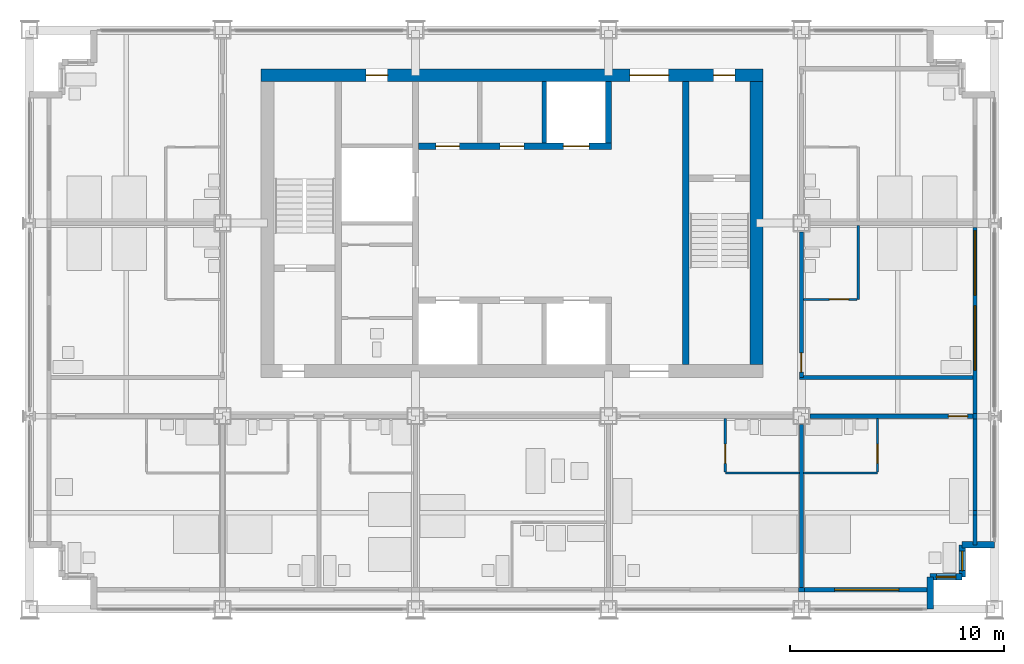
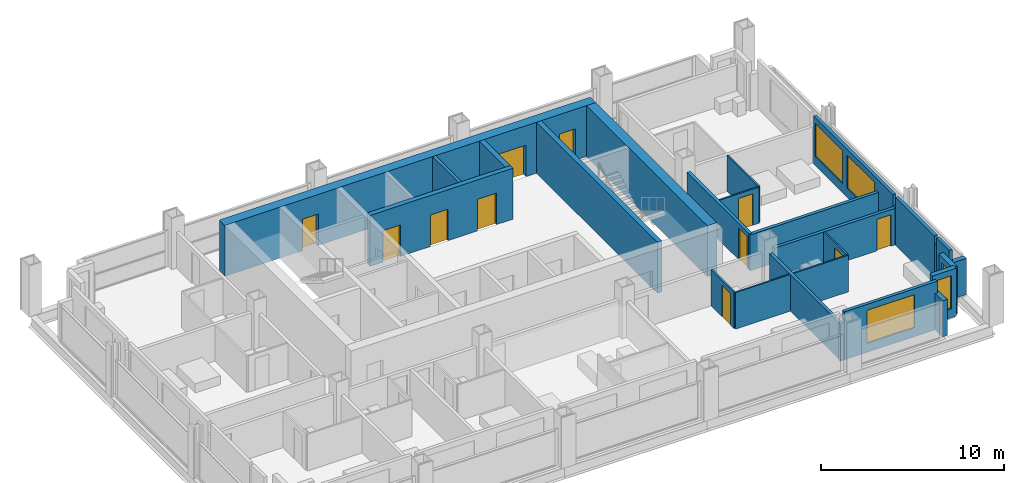
# One storey, part 9 of 13: 27 walls, 11 doors, 5 windows, 16 openings.
"""IFC4 building model written with IfcOpenShell, lengths in metres."""

from ifc_helpers import new_model, si_unit, direction, frame, frame_2d, origin, place, context, subcontext, project, spatial, rectangle, extrude, material, layer, layer_set, type_object, element, fill, save


model = new_model("IFC4")

# Units and contexts
model_context = context("Model", 3, precision=1e-05, world=origin(), true_north=direction((0.0, 1.0)))
body_context = subcontext(model_context, "Body", "Model", "MODEL_VIEW")
ifc_project = project(units=[si_unit("LENGTHUNIT", "METRE"), si_unit("AREAUNIT", "SQUARE_METRE"), si_unit("VOLUMEUNIT", "CUBIC_METRE"), si_unit("PLANEANGLEUNIT", "RADIAN"), si_unit("MASSUNIT", "GRAM", prefix="KILO")], contexts=[model_context])

# Site, building, storey
site_placement = place(None, origin())
site = spatial("IfcSite", under=ifc_project, at=site_placement, CompositionType="ELEMENT")
building_placement = place(site_placement, origin())
building = spatial("IfcBuilding", under=site, at=building_placement, Name="Loomwork Tower", CompositionType="ELEMENT")
storey_placement = place(building_placement, frame((0.0, 0.0, 187.60009765625)))
storey = spatial("IfcBuildingStorey", under=building, at=storey_placement, Name="L51", CompositionType="ELEMENT", Elevation=187.60009765625)

# Wall, openings, doors
ifc_material_1 = material(Name="Concrete 14000 psi (97 MPa)", Category="concrete")
ifc_layer_1 = layer(ifc_material_1, 0.300048828125)
ifc_layer_set_1 = layer_set([ifc_layer_1], Name="Core shear wall 300")
wall_type_1 = type_object("IfcWallType", Name="Core shear wall 300", PredefinedType="SHEAR", material=ifc_layer_set_1)
wall_1_placement = place(storey_placement, frame((18.14990234375, 21.60009765625, 0.0), z_axis=(0.0, 0.0, 1.0), x_axis=(1.0, 0.0, 0.0)))
wall_1 = element("IfcWall", 1, at=wall_1_placement, inside=storey, type_object=wall_type_1, Name="Lift front wall north L51", PredefinedType="SHEAR", context=body_context, shape_type="SweptSolid", body=[
    extrude(rectangle(XDim=9.0, YDim=0.300048828125, at=frame_2d((4.5, 0.0))), origin(), (0.0, 0.0, 1.0), 3.39990234375),
])
opening_1_placement = place(wall_1_placement, frame((6.75, 0.0, 0.0)))
opening_1 = element("IfcOpeningElement", 2, at=opening_1_placement, cuts=wall_1, Name="Opening LD2", PredefinedType="OPENING", context=body_context, shape_type="SweptSolid", body=[
    extrude(rectangle(XDim=1.199951171875, YDim=2.10009765625, at=frame_2d((0.60009765625, 1.050048828125))), frame((0.0, 0.159912109375, 0.0), z_axis=(0.0, -1.0, 0.0), x_axis=(1.0, 0.0, 0.0)), (0.0, 0.0, 1.0), 0.320068359375),
])
opening_2_placement = place(wall_1_placement, frame((0.800048828125, 0.0, 0.0)))
opening_2 = element("IfcOpeningElement", 3, at=opening_2_placement, cuts=wall_1, Name="Opening D17", PredefinedType="OPENING", context=body_context, shape_type="SweptSolid", body=[
    extrude(rectangle(XDim=1.10009765625, YDim=2.10009765625, at=frame_2d((0.550048828125, 1.050048828125))), frame((0.0, 0.159912109375, 0.0), z_axis=(0.0, -1.0, 0.0), x_axis=(1.0, 0.0, 0.0)), (0.0, 0.0, 1.0), 0.320068359375),
])
opening_3_placement = place(wall_1_placement, frame((3.800048828125, 0.0, 0.0)))
opening_3 = element("IfcOpeningElement", 4, at=opening_3_placement, cuts=wall_1, Name="Opening D17", PredefinedType="OPENING", context=body_context, shape_type="SweptSolid", body=[
    extrude(rectangle(XDim=1.10009765625, YDim=2.10009765625, at=frame_2d((0.550048828125, 1.050048828125))), frame((0.0, 0.159912109375, 0.0), z_axis=(0.0, -1.0, 0.0), x_axis=(1.0, 0.0, 0.0)), (0.0, 0.0, 1.0), 0.320068359375),
])
ifc_material_2 = material(Name="Hollow metal door and frame")
door_type_1 = type_object("IfcDoorType", Name="Lift landing door 1200", OperationType="SLIDING_TO_LEFT", PredefinedType="DOOR", material=ifc_material_2)
door_1_placement = place(opening_1_placement, origin())
door_1 = element("IfcDoor", 5, at=door_1_placement, inside=storey, type_object=door_type_1, Name="Lift landing door LF2", OperationType="SLIDING_TO_LEFT", OverallHeight=2.10009765625, OverallWidth=1.199951171875, PredefinedType="DOOR", context=body_context, shape_type="SweptSolid", body=[
    extrude(rectangle(XDim=1.199951171875, YDim=2.10009765625, at=frame_2d((0.60009765625, 1.050048828125))), frame((0.0, 0.02490234375, 0.0), z_axis=(0.0, -1.0, 0.0), x_axis=(1.0, 0.0, 0.0)), (0.0, 0.0, 1.0), 0.050048828125),
])
fill(opening_1, door_1)
ifc_material_3 = material(Name="Hollow metal door and frame")
door_type_2 = type_object("IfcDoorType", Name="Service room door 1100", OperationType="SINGLE_SWING_LEFT", PredefinedType="DOOR", material=ifc_material_3)
door_2_placement = place(opening_2_placement, origin())
door_2 = element("IfcDoor", 6, at=door_2_placement, inside=storey, type_object=door_type_2, Name="Guest pantry, ice and vending door L51", OperationType="SINGLE_SWING_LEFT", OverallHeight=2.10009765625, OverallWidth=1.10009765625, PredefinedType="DOOR", context=body_context, shape_type="SweptSolid", body=[
    extrude(rectangle(XDim=1.10009765625, YDim=2.10009765625, at=frame_2d((0.550048828125, 1.050048828125))), frame((0.0, 0.02490234375, 0.0), z_axis=(0.0, -1.0, 0.0), x_axis=(1.0, 0.0, 0.0)), (0.0, 0.0, 1.0), 0.050048828125),
])
fill(opening_2, door_2)
door_3_placement = place(opening_3_placement, origin())
door_3 = element("IfcDoor", 7, at=door_3_placement, inside=storey, type_object=door_type_2, Name="Storage room door L51", OperationType="SINGLE_SWING_LEFT", OverallHeight=2.10009765625, OverallWidth=1.10009765625, PredefinedType="DOOR", context=body_context, shape_type="SweptSolid", body=[
    extrude(rectangle(XDim=1.10009765625, YDim=2.10009765625, at=frame_2d((0.550048828125, 1.050048828125))), frame((0.0, 0.02490234375, 0.0), z_axis=(0.0, -1.0, 0.0), x_axis=(1.0, 0.0, 0.0)), (0.0, 0.0, 1.0), 0.050048828125),
])
fill(opening_3, door_3)

# Walls
wall_2_placement = place(storey_placement, frame((27.0, 21.75, 0.0), z_axis=(0.0, 0.0, 1.0), x_axis=(0.0, 1.0, 0.0)))
element("IfcWall", 8, at=wall_2_placement, inside=storey, type_object=wall_type_1, Name="Lift shaft end wall north L51", PredefinedType="SHEAR", context=body_context, shape_type="SweptSolid", body=[
    extrude(rectangle(XDim=2.85009765625, YDim=0.300048828125, at=frame_2d((1.425048828125, 0.0))), origin(), (0.0, 0.0, 1.0), 3.39990234375),
])
wall_3_placement = place(storey_placement, frame((30.60009765625, 11.39990234375, 0.0), z_axis=(0.0, 0.0, 1.0), x_axis=(0.0, 1.0, 0.0)))
element("IfcWall", 9, at=wall_3_placement, inside=storey, type_object=wall_type_1, Name="Stair B west wall L51", PredefinedType="SHEAR", context=body_context, shape_type="SweptSolid", body=[
    extrude(rectangle(XDim=13.2001953125, YDim=0.300048828125, at=frame_2d((6.60009765625, 0.0))), origin(), (0.0, 0.0, 1.0), 3.39990234375),
])

# Wall, openings, doors
ifc_material_4 = material(Name="Concrete 14000 psi (97 MPa)", Category="concrete")
ifc_layer_2 = layer(ifc_material_4, 0.60009765625)
ifc_layer_set_2 = layer_set([ifc_layer_2], Name="Core shear wall 600")
wall_type_2 = type_object("IfcWallType", Name="Core shear wall 600", PredefinedType="SHEAR", material=ifc_layer_set_2)
wall_4_placement = place(storey_placement, frame((10.800048828125, 24.89990234375, 0.0), z_axis=(0.0, 0.0, 1.0), x_axis=(1.0, 0.0, 0.0)))
wall_4 = element("IfcWall", 10, at=wall_4_placement, inside=storey, type_object=wall_type_2, Name="Core wall north L51", PredefinedType="SHEAR", context=body_context, shape_type="SweptSolid", body=[
    extrude(rectangle(XDim=23.39990234375, YDim=0.60009765625, at=frame_2d((11.699951171875, 0.0))), origin(), (0.0, 0.0, 1.0), 3.39990234375),
])
opening_4_placement = place(wall_4_placement, frame((17.199951171875, 0.0, 0.0)))
opening_4 = element("IfcOpeningElement", 11, at=opening_4_placement, cuts=wall_4, Name="Opening D6", PredefinedType="OPENING", context=body_context, shape_type="SweptSolid", body=[
    extrude(rectangle(XDim=1.800048828125, YDim=2.10009765625, at=frame_2d((0.89990234375, 1.050048828125))), frame((0.0, 0.31005859375, 0.0), z_axis=(0.0, -1.0, 0.0), x_axis=(1.0, 0.0, 0.0)), (0.0, 0.0, 1.0), 0.6201171875),
])
opening_5_placement = place(wall_4_placement, frame((21.10009765625, 0.0, 0.0)))
opening_5 = element("IfcOpeningElement", 12, at=opening_5_placement, cuts=wall_4, Name="Opening D4", PredefinedType="OPENING", context=body_context, shape_type="SweptSolid", body=[
    extrude(rectangle(XDim=1.0, YDim=2.10009765625, at=frame_2d((0.5, 1.050048828125))), frame((0.0, 0.31005859375, 0.0), z_axis=(0.0, -1.0, 0.0), x_axis=(1.0, 0.0, 0.0)), (0.0, 0.0, 1.0), 0.6201171875),
])
opening_6_placement = place(wall_4_placement, frame((4.89990234375, 0.0, 0.0)))
opening_6 = element("IfcOpeningElement", 13, at=opening_6_placement, cuts=wall_4, Name="Opening D5", PredefinedType="OPENING", context=body_context, shape_type="SweptSolid", body=[
    extrude(rectangle(XDim=1.0, YDim=2.10009765625, at=frame_2d((0.5, 1.050048828125))), frame((0.0, 0.31005859375, 0.0), z_axis=(0.0, -1.0, 0.0), x_axis=(1.0, 0.0, 0.0)), (0.0, 0.0, 1.0), 0.6201171875),
])
ifc_material_5 = material(Name="Hollow metal door and frame")
door_type_3 = type_object("IfcDoorType", Name="Lobby passage double door 1800", OperationType="DOUBLE_DOOR_SINGLE_SWING", PredefinedType="DOOR", material=ifc_material_5)
door_4_placement = place(opening_4_placement, frame((1.800048828125, 0.0, 0.0), z_axis=(0.0, 0.0, 1.0), x_axis=(-1.0, 0.0, 0.0)))
door_4 = element("IfcDoor", 14, at=door_4_placement, inside=storey, type_object=door_type_3, Name="Lobby passage door north", OperationType="DOUBLE_DOOR_SINGLE_SWING", OverallHeight=2.10009765625, OverallWidth=1.800048828125, PredefinedType="DOOR", context=body_context, shape_type="SweptSolid", body=[
    extrude(rectangle(XDim=1.800048828125, YDim=2.10009765625, at=frame_2d((0.89990234375, 1.050048828125))), frame((0.0, 0.02490234375, 0.0), z_axis=(0.0, -1.0, 0.0), x_axis=(1.0, 0.0, 0.0)), (0.0, 0.0, 1.0), 0.050048828125),
])
fill(opening_4, door_4)
ifc_material_6 = material(Name="Hollow metal door and frame")
door_type_4 = type_object("IfcDoorType", Name="Service door 1000", OperationType="SINGLE_SWING_LEFT", PredefinedType="DOOR", material=ifc_material_6)
door_5_placement = place(opening_6_placement, frame((1.0, 0.0, 0.0), z_axis=(0.0, 0.0, 1.0), x_axis=(-1.0, 0.0, 0.0)))
door_5 = element("IfcDoor", 15, at=door_5_placement, inside=storey, type_object=door_type_4, Name="Back-of-house door north", OperationType="SINGLE_SWING_LEFT", OverallHeight=2.10009765625, OverallWidth=1.0, PredefinedType="DOOR", context=body_context, shape_type="SweptSolid", body=[
    extrude(rectangle(XDim=1.0, YDim=2.10009765625, at=frame_2d((0.5, 1.050048828125))), frame((0.0, 0.02490234375, 0.0), z_axis=(0.0, -1.0, 0.0), x_axis=(1.0, 0.0, 0.0)), (0.0, 0.0, 1.0), 0.050048828125),
])
fill(opening_6, door_5)
ifc_material_7 = material(Name="Hollow metal door and frame")
door_type_5 = type_object("IfcDoorType", Name="Stair door 1000", OperationType="SINGLE_SWING_RIGHT", PredefinedType="DOOR", material=ifc_material_7)
door_6_placement = place(opening_5_placement, frame((1.0, 0.0, 0.0), z_axis=(0.0, 0.0, 1.0), x_axis=(-1.0, 0.0, 0.0)))
door_6 = element("IfcDoor", 16, at=door_6_placement, inside=storey, type_object=door_type_5, Name="Stair B vestibule door", OperationType="SINGLE_SWING_LEFT", OverallHeight=2.10009765625, OverallWidth=1.0, PredefinedType="DOOR", context=body_context, shape_type="SweptSolid", body=[
    extrude(rectangle(XDim=1.0, YDim=2.10009765625, at=frame_2d((0.5, 1.050048828125))), frame((0.0, 0.02490234375, 0.0), z_axis=(0.0, -1.0, 0.0), x_axis=(1.0, 0.0, 0.0)), (0.0, 0.0, 1.0), 0.050048828125),
])
fill(opening_5, door_6)

# Wall
wall_5_placement = place(storey_placement, frame((33.89990234375, 11.39990234375, 0.0), z_axis=(0.0, 0.0, 1.0), x_axis=(0.0, 1.0, 0.0)))
element("IfcWall", 17, at=wall_5_placement, inside=storey, type_object=wall_type_2, Name="Core wall east L51", PredefinedType="SHEAR", context=body_context, shape_type="SweptSolid", body=[
    extrude(rectangle(XDim=13.2001953125, YDim=0.60009765625, at=frame_2d((6.60009765625, 0.0))), origin(), (0.0, 0.0, 1.0), 3.39990234375),
])

# Wall, opening, door
ifc_material_8 = material(Name="Gypsum board on steel studs, one-hour", Category="steel")
ifc_layer_3 = layer(ifc_material_8, 0.199951171875)
ifc_layer_set_3 = layer_set([ifc_layer_3], Name="Corridor wall 200")
wall_type_3 = type_object("IfcWallType", Name="Corridor wall 200", PredefinedType="PARTITIONING", material=ifc_layer_set_3)
wall_6_placement = place(storey_placement, frame((36.39990234375, 9.0, 0.0), z_axis=(0.0, 0.0, 1.0), x_axis=(1.0, 0.0, 0.0)))
wall_6 = element("IfcWall", 18, at=wall_6_placement, inside=storey, type_object=wall_type_3, Name="South corridor wall 5", PredefinedType="PARTITIONING", context=body_context, shape_type="SweptSolid", body=[
    extrude(rectangle(XDim=7.60009765625, YDim=0.199951171875, at=frame_2d((3.800048828125, 0.0))), origin(), (0.0, 0.0, 1.0), 2.43798828125),
])
opening_7_placement = place(wall_6_placement, frame((6.449951171875, 0.0, 0.0)))
opening_7 = element("IfcOpeningElement", 19, at=opening_7_placement, cuts=wall_6, Name="Opening D1", PredefinedType="OPENING", context=body_context, shape_type="SweptSolid", body=[
    extrude(rectangle(XDim=0.89990234375, YDim=2.10009765625, at=frame_2d((0.449951171875, 1.050048828125))), frame((0.0, 0.10986328125, 0.0), z_axis=(0.0, -1.0, 0.0), x_axis=(1.0, 0.0, 0.0)), (0.0, 0.0, 1.0), 0.219970703125),
])
ifc_material_9 = material(Name="Hollow metal door and frame")
door_type_6 = type_object("IfcDoorType", Name="Guest room entry door 900", OperationType="SINGLE_SWING_LEFT", PredefinedType="DOOR", material=ifc_material_9)
door_7_placement = place(opening_7_placement, frame((0.89990234375, 0.0, 0.0), z_axis=(0.0, 0.0, 1.0), x_axis=(-1.0, 0.0, 0.0)))
door_7 = element("IfcDoor", 20, at=door_7_placement, inside=storey, type_object=door_type_6, Name="Guest room entry door L51 6", OperationType="SINGLE_SWING_LEFT", OverallHeight=2.10009765625, OverallWidth=0.89990234375, PredefinedType="DOOR", context=body_context, shape_type="SweptSolid", body=[
    extrude(rectangle(XDim=0.89990234375, YDim=2.10009765625, at=frame_2d((0.449951171875, 1.050048828125))), frame((0.0, 0.02490234375, 0.0), z_axis=(0.0, -1.0, 0.0), x_axis=(1.0, 0.0, 0.0)), (0.0, 0.0, 1.0), 0.050048828125),
])
fill(opening_7, door_7)

wall_7_placement = place(storey_placement, frame((36.0, 10.800048828125, 0.0), z_axis=(0.0, 0.0, 1.0), x_axis=(0.0, 1.0, 0.0)))
wall_7 = element("IfcWall", 21, at=wall_7_placement, inside=storey, type_object=wall_type_3, Name="East corridor wall 1", PredefinedType="PARTITIONING", context=body_context, shape_type="SweptSolid", body=[
    extrude(rectangle(XDim=6.800048828125, YDim=0.199951171875, at=frame_2d((3.39990234375, 0.0))), origin(), (0.0, 0.0, 1.0), 2.40478515625),
])
opening_8_placement = place(wall_7_placement, frame((0.25, 0.0, 0.0)))
opening_8 = element("IfcOpeningElement", 22, at=opening_8_placement, cuts=wall_7, Name="Opening D1", PredefinedType="OPENING", context=body_context, shape_type="SweptSolid", body=[
    extrude(rectangle(XDim=0.89990234375, YDim=2.10009765625, at=frame_2d((0.449951171875, 1.050048828125))), frame((0.0, 0.10986328125, 0.0), z_axis=(0.0, -1.0, 0.0), x_axis=(1.0, 0.0, 0.0)), (0.0, 0.0, 1.0), 0.219970703125),
])
door_8_placement = place(opening_8_placement, frame((0.89990234375, 0.0, 0.0), z_axis=(0.0, 0.0, 1.0), x_axis=(-1.0, 0.0, 0.0)))
door_8 = element("IfcDoor", 23, at=door_8_placement, inside=storey, type_object=door_type_6, Name="Guest room entry door L51 9", OperationType="SINGLE_SWING_RIGHT", OverallHeight=2.10009765625, OverallWidth=0.89990234375, PredefinedType="DOOR", context=body_context, shape_type="SweptSolid", body=[
    extrude(rectangle(XDim=0.89990234375, YDim=2.10009765625, at=frame_2d((0.449951171875, 1.050048828125))), frame((0.0, 0.02490234375, 0.0), z_axis=(0.0, -1.0, 0.0), x_axis=(1.0, 0.0, 0.0)), (0.0, 0.0, 1.0), 0.050048828125),
])
fill(opening_8, door_8)

# Walls
wall_8_placement = place(storey_placement, frame((35.89990234375, 10.800048828125, 0.0), z_axis=(0.0, 0.0, 1.0), x_axis=(1.0, 0.0, 0.0)))
element("IfcWall", 24, at=wall_8_placement, inside=storey, type_object=wall_type_3, Name="East band end wall S", PredefinedType="PARTITIONING", context=body_context, shape_type="SweptSolid", body=[
    extrude(rectangle(XDim=8.10009765625, YDim=0.199951171875, at=frame_2d((4.050048828125, 0.0))), origin(), (0.0, 0.0, 1.0), 2.40380859375),
])
ifc_material_10 = material(Name="Cement board on steel studs", Category="steel")
ifc_layer_4 = layer(ifc_material_10, 0.10009765625)
ifc_layer_set_4 = layer_set([ifc_layer_4], Name="En-suite partition 100")
wall_type_4 = type_object("IfcWallType", Name="En-suite partition 100", PredefinedType="PARTITIONING", material=ifc_layer_set_4)
wall_9_placement = place(storey_placement, frame((32.449951171875, 6.35009765625, 0.0), z_axis=(0.0, 0.0, 1.0), x_axis=(1.0, 0.0, 0.0)))
element("IfcWall", 25, at=wall_9_placement, inside=storey, type_object=wall_type_4, Name="En-suite wall L51 room 5", PredefinedType="PARTITIONING", context=body_context, shape_type="SweptSolid", body=[
    extrude(rectangle(XDim=3.449951171875, YDim=0.10009765625, at=frame_2d((1.72509765625, 0.0))), origin(), (0.0, 0.0, 1.0), 2.43798828125),
])

# Wall, opening, door
wall_10_placement = place(storey_placement, frame((32.449951171875, 8.89990234375, 0.0), z_axis=(0.0, 0.0, 1.0), x_axis=(0.0, -1.0, 0.0)))
wall_10 = element("IfcWall", 26, at=wall_10_placement, inside=storey, type_object=wall_type_4, Name="En-suite side wall L51 room 5", PredefinedType="PARTITIONING", context=body_context, shape_type="SweptSolid", body=[
    extrude(rectangle(XDim=2.5, YDim=0.10009765625, at=frame_2d((1.25, 0.0))), origin(), (0.0, 0.0, 1.0), 2.40380859375),
])
opening_9_placement = place(wall_10_placement, frame((1.199951171875, 0.0, 0.0)))
opening_9 = element("IfcOpeningElement", 27, at=opening_9_placement, cuts=wall_10, Name="Opening D2", PredefinedType="OPENING", context=body_context, shape_type="SweptSolid", body=[
    extrude(rectangle(XDim=0.89990234375, YDim=2.10009765625, at=frame_2d((0.449951171875, 1.050048828125))), frame((0.0, 0.06005859375, 0.0), z_axis=(0.0, -1.0, 0.0), x_axis=(1.0, 0.0, 0.0)), (0.0, 0.0, 1.0), 0.1201171875),
])
ifc_material_11 = material(Name="Hollow metal door and frame")
door_type_7 = type_object("IfcDoorType", Name="En-suite door 900", OperationType="SINGLE_SWING_LEFT", PredefinedType="DOOR", material=ifc_material_11)
door_9_placement = place(opening_9_placement, origin())
door_9 = element("IfcDoor", 28, at=door_9_placement, inside=storey, type_object=door_type_7, Name="En-suite door room 5", OperationType="SINGLE_SWING_RIGHT", OverallHeight=2.10009765625, OverallWidth=0.89990234375, PredefinedType="DOOR", context=body_context, shape_type="SweptSolid", body=[
    extrude(rectangle(XDim=0.89990234375, YDim=2.10009765625, at=frame_2d((0.449951171875, 1.050048828125))), frame((0.0, 0.02490234375, 0.0), z_axis=(0.0, -1.0, 0.0), x_axis=(1.0, 0.0, 0.0)), (0.0, 0.0, 1.0), 0.050048828125),
])
fill(opening_9, door_9)

# Wall
wall_11_placement = place(storey_placement, frame((36.10009765625, 6.35009765625, 0.0), z_axis=(0.0, 0.0, 1.0), x_axis=(1.0, 0.0, 0.0)))
element("IfcWall", 29, at=wall_11_placement, inside=storey, type_object=wall_type_4, Name="En-suite wall L51 room 6", PredefinedType="PARTITIONING", context=body_context, shape_type="SweptSolid", body=[
    extrude(rectangle(XDim=3.449951171875, YDim=0.10009765625, at=frame_2d((1.72509765625, 0.0))), origin(), (0.0, 0.0, 1.0), 2.43798828125),
])

# Wall, opening, door
wall_12_placement = place(storey_placement, frame((39.550048828125, 8.89990234375, 0.0), z_axis=(0.0, 0.0, 1.0), x_axis=(0.0, -1.0, 0.0)))
wall_12 = element("IfcWall", 30, at=wall_12_placement, inside=storey, type_object=wall_type_4, Name="En-suite side wall L51 room 6", PredefinedType="PARTITIONING", context=body_context, shape_type="SweptSolid", body=[
    extrude(rectangle(XDim=2.5, YDim=0.10009765625, at=frame_2d((1.25, 0.0))), origin(), (0.0, 0.0, 1.0), 2.43798828125),
])
opening_10_placement = place(wall_12_placement, frame((1.199951171875, 0.0, 0.0)))
opening_10 = element("IfcOpeningElement", 31, at=opening_10_placement, cuts=wall_12, Name="Opening D2", PredefinedType="OPENING", context=body_context, shape_type="SweptSolid", body=[
    extrude(rectangle(XDim=0.89990234375, YDim=2.10009765625, at=frame_2d((0.449951171875, 1.050048828125))), frame((0.0, 0.06005859375, 0.0), z_axis=(0.0, -1.0, 0.0), x_axis=(1.0, 0.0, 0.0)), (0.0, 0.0, 1.0), 0.1201171875),
])
door_10_placement = place(opening_10_placement, frame((0.89990234375, 0.0, 0.0), z_axis=(0.0, 0.0, 1.0), x_axis=(-1.0, 0.0, 0.0)))
door_10 = element("IfcDoor", 32, at=door_10_placement, inside=storey, type_object=door_type_7, Name="En-suite door room 6", OperationType="SINGLE_SWING_LEFT", OverallHeight=2.10009765625, OverallWidth=0.89990234375, PredefinedType="DOOR", context=body_context, shape_type="SweptSolid", body=[
    extrude(rectangle(XDim=0.89990234375, YDim=2.10009765625, at=frame_2d((0.449951171875, 1.050048828125))), frame((0.0, 0.02490234375, 0.0), z_axis=(0.0, -1.0, 0.0), x_axis=(1.0, 0.0, 0.0)), (0.0, 0.0, 1.0), 0.050048828125),
])
fill(opening_10, door_10)

# Wall
wall_13_placement = place(storey_placement, frame((38.64990234375, 14.449951171875, 0.0), z_axis=(0.0, 0.0, 1.0), x_axis=(0.0, 1.0, 0.0)))
element("IfcWall", 33, at=wall_13_placement, inside=storey, type_object=wall_type_4, Name="En-suite wall L51 room 9", PredefinedType="PARTITIONING", context=body_context, shape_type="SweptSolid", body=[
    extrude(rectangle(XDim=3.449951171875, YDim=0.10009765625, at=frame_2d((1.72509765625, 0.0))), origin(), (0.0, 0.0, 1.0), 2.40380859375),
])

# Wall, opening, door
wall_14_placement = place(storey_placement, frame((36.10009765625, 14.449951171875, 0.0), z_axis=(0.0, 0.0, 1.0), x_axis=(1.0, 0.0, 0.0)))
wall_14 = element("IfcWall", 34, at=wall_14_placement, inside=storey, type_object=wall_type_4, Name="En-suite side wall L51 room 9", PredefinedType="PARTITIONING", context=body_context, shape_type="SweptSolid", body=[
    extrude(rectangle(XDim=2.5, YDim=0.10009765625, at=frame_2d((1.25, 0.0))), origin(), (0.0, 0.0, 1.0), 2.40380859375),
])
opening_11_placement = place(wall_14_placement, frame((1.199951171875, 0.0, 0.0)))
opening_11 = element("IfcOpeningElement", 35, at=opening_11_placement, cuts=wall_14, Name="Opening D2", PredefinedType="OPENING", context=body_context, shape_type="SweptSolid", body=[
    extrude(rectangle(XDim=0.89990234375, YDim=2.10009765625, at=frame_2d((0.449951171875, 1.050048828125))), frame((0.0, 0.06005859375, 0.0), z_axis=(0.0, -1.0, 0.0), x_axis=(1.0, 0.0, 0.0)), (0.0, 0.0, 1.0), 0.1201171875),
])
door_11_placement = place(opening_11_placement, origin())
door_11 = element("IfcDoor", 36, at=door_11_placement, inside=storey, type_object=door_type_7, Name="En-suite door room 9", OperationType="SINGLE_SWING_RIGHT", OverallHeight=2.10009765625, OverallWidth=0.89990234375, PredefinedType="DOOR", context=body_context, shape_type="SweptSolid", body=[
    extrude(rectangle(XDim=0.89990234375, YDim=2.10009765625, at=frame_2d((0.449951171875, 1.050048828125))), frame((0.0, 0.02490234375, 0.0), z_axis=(0.0, -1.0, 0.0), x_axis=(1.0, 0.0, 0.0)), (0.0, 0.0, 1.0), 0.050048828125),
])
fill(opening_11, door_11)

# Walls
ifc_material_12 = material(Name="Gypsum board on steel studs, acoustic", Category="steel")
ifc_layer_5 = layer(ifc_material_12, 0.199951171875)
ifc_layer_set_5 = layer_set([ifc_layer_5], Name="Guest room party wall 200")
wall_type_5 = type_object("IfcWallType", Name="Guest room party wall 200", PredefinedType="PARTITIONING", material=ifc_layer_set_5)
wall_15_placement = place(storey_placement, frame((36.0, 8.60009765625, 0.0), z_axis=(0.0, 0.0, 1.0), x_axis=(0.0, -1.0, 0.0)))
element("IfcWall", 37, at=wall_15_placement, inside=storey, type_object=wall_type_5, Name="Guest room party wall S 36", PredefinedType="PARTITIONING", context=body_context, shape_type="SweptSolid", body=[
    extrude(rectangle(XDim=7.60009765625, YDim=0.199951171875, at=frame_2d((3.800048828125, 0.0))), origin(), (0.0, 0.0, 1.0), 2.43798828125),
])
ifc_material_13 = material(Name="Insulated steel stud wall with gypsum lining", Category="steel")
ifc_layer_6 = layer(ifc_material_13, 0.199951171875)
ifc_layer_set_6 = layer_set([ifc_layer_6], Name="Inner skin wall 200")
wall_type_6 = type_object("IfcWallType", Name="Inner skin wall 200", PredefinedType="SOLIDWALL", material=ifc_layer_set_6)
wall_16_placement = place(storey_placement, frame((44.10009765625, 3.0, 0.0), z_axis=(0.0, 0.0, 1.0), x_axis=(0.0, 1.0, 0.0)))
element("IfcWall", 38, at=wall_16_placement, inside=storey, type_object=wall_type_6, Name="Inner skin wall E", PredefinedType="SOLIDWALL", context=body_context, shape_type="SweptSolid", body=[
    extrude(rectangle(XDim=1.392578125, YDim=0.199951171875, at=frame_2d((0.6962890625, 0.0))), origin(), (0.0, 0.0, 1.0), 3.199951171875),
])
wall_17_placement = place(storey_placement, frame((35.864501953125, 0.89990234375, 0.0), z_axis=(0.0, 0.0, 1.0), x_axis=(1.0, 0.0, 0.0)))
element("IfcWall", 39, at=wall_17_placement, inside=storey, type_object=wall_type_6, Name="Inner skin wall S bay 8", PredefinedType="SOLIDWALL", context=body_context, shape_type="SweptSolid", body=[
    extrude(rectangle(XDim=0.27099609375, YDim=0.199951171875, at=frame_2d((0.135498046875, 0.0))), origin(), (0.0, 0.0, 1.0), 2.43798828125),
])

# Wall, opening, window
wall_18_placement = place(storey_placement, frame((36.135498046875, 0.89990234375, 0.0), z_axis=(0.0, 0.0, 1.0), x_axis=(1.0, 0.0, 0.0)))
wall_18 = element("IfcWall", 40, at=wall_18_placement, inside=storey, type_object=wall_type_6, Name="Inner skin wall S bay 9", PredefinedType="SOLIDWALL", context=body_context, shape_type="SweptSolid", body=[
    extrude(rectangle(XDim=5.864501953125, YDim=0.199951171875, at=frame_2d((2.93212890625, 0.0))), origin(), (0.0, 0.0, 1.0), 3.199951171875),
])
opening_12_placement = place(wall_18_placement, frame((1.41455078125, 0.0, 0.60009765625)))
opening_12 = element("IfcOpeningElement", 41, at=opening_12_placement, cuts=wall_18, Name="Opening CH1", PredefinedType="OPENING", context=body_context, shape_type="SweptSolid", body=[
    extrude(rectangle(XDim=3.0, YDim=2.199951171875, at=frame_2d((1.5, 1.10009765625))), frame((0.0, 0.10986328125, 0.0), z_axis=(0.0, -1.0, 0.0), x_axis=(1.0, 0.0, 0.0)), (0.0, 0.0, 1.0), 0.219970703125),
])
ifc_material_14 = material(Name="Aluminium frame with clear insulated glass", Category="aluminium")
window_type_1 = type_object("IfcWindowType", Name="Chicago window 3000", PartitioningType="TRIPLE_PANEL_VERTICAL", PredefinedType="WINDOW", material=ifc_material_14)
window_1_placement = place(opening_12_placement, origin())
window_1 = element("IfcWindow", 42, at=window_1_placement, inside=storey, type_object=window_type_1, Name="Chicago window L51 bay 5", OverallHeight=2.199951171875, OverallWidth=3.0, PartitioningType="TRIPLE_PANEL_VERTICAL", PredefinedType="WINDOW", context=body_context, shape_type="SweptSolid", body=[
    extrude(rectangle(XDim=3.0, YDim=2.199951171875, at=frame_2d((1.5, 1.10009765625))), frame((0.0, 0.030029296875, 0.0), z_axis=(0.0, -1.0, 0.0), x_axis=(1.0, 0.0, 0.0)), (0.0, 0.0, 1.0), 0.06005859375),
])
fill(opening_12, window_1)

# Walls
wall_19_placement = place(storey_placement, frame((44.10009765625, 4.392578125, 0.0), z_axis=(0.0, 0.0, 1.0), x_axis=(0.0, 1.0, 0.0)))
element("IfcWall", 43, at=wall_19_placement, inside=storey, type_object=wall_type_6, Name="Inner skin wall E bay 2", PredefinedType="SOLIDWALL", context=body_context, shape_type="SweptSolid", body=[
    extrude(rectangle(XDim=0.21484375, YDim=0.199951171875, at=frame_2d((0.107421875, 0.0))), origin(), (0.0, 0.0, 1.0), 2.660888671875),
])
wall_20_placement = place(storey_placement, frame((44.10009765625, 4.607421875, 0.0), z_axis=(0.0, 0.0, 1.0), x_axis=(0.0, 1.0, 0.0)))
element("IfcWall", 44, at=wall_20_placement, inside=storey, type_object=wall_type_6, Name="Inner skin wall E bay 3", PredefinedType="SOLIDWALL", context=body_context, shape_type="SweptSolid", body=[
    extrude(rectangle(XDim=4.25732421875, YDim=0.199951171875, at=frame_2d((2.128662109375, 0.0))), origin(), (0.0, 0.0, 1.0), 3.199951171875),
])
wall_21_placement = place(storey_placement, frame((44.10009765625, 8.86474609375, 0.0), z_axis=(0.0, 0.0, 1.0), x_axis=(0.0, 1.0, 0.0)))
element("IfcWall", 45, at=wall_21_placement, inside=storey, type_object=wall_type_6, Name="Inner skin wall E bay 4", PredefinedType="SOLIDWALL", context=body_context, shape_type="SweptSolid", body=[
    extrude(rectangle(XDim=0.2705078125, YDim=0.199951171875, at=frame_2d((0.13525390625, 0.0))), origin(), (0.0, 0.0, 1.0), 2.43798828125),
])

# Wall, openings, windows
wall_22_placement = place(storey_placement, frame((44.10009765625, 9.13525390625, 0.0), z_axis=(0.0, 0.0, 1.0), x_axis=(0.0, 1.0, 0.0)))
wall_22 = element("IfcWall", 46, at=wall_22_placement, inside=storey, type_object=wall_type_6, Name="Inner skin wall E bay 5", PredefinedType="SOLIDWALL", context=body_context, shape_type="SweptSolid", body=[
    extrude(rectangle(XDim=8.6708984375, YDim=0.199951171875, at=frame_2d((4.33544921875, 0.0))), origin(), (0.0, 0.0, 1.0), 3.199951171875),
])
opening_13_placement = place(wall_22_placement, frame((2.0146484375, 0.0, 0.60009765625)))
opening_13 = element("IfcOpeningElement", 47, at=opening_13_placement, cuts=wall_22, Name="Opening CH1", PredefinedType="OPENING", context=body_context, shape_type="SweptSolid", body=[
    extrude(rectangle(XDim=3.0, YDim=2.199951171875, at=frame_2d((1.5, 1.10009765625))), frame((0.0, 0.10986328125, 0.0), z_axis=(0.0, -1.0, 0.0), x_axis=(1.0, 0.0, 0.0)), (0.0, 0.0, 1.0), 0.219970703125),
])
opening_14_placement = place(wall_22_placement, frame((5.5146484375, 0.0, 0.60009765625)))
opening_14 = element("IfcOpeningElement", 48, at=opening_14_placement, cuts=wall_22, Name="Opening CH1", PredefinedType="OPENING", context=body_context, shape_type="SweptSolid", body=[
    extrude(rectangle(XDim=3.0, YDim=2.199951171875, at=frame_2d((1.5, 1.10009765625))), frame((0.0, 0.10986328125, 0.0), z_axis=(0.0, -1.0, 0.0), x_axis=(1.0, 0.0, 0.0)), (0.0, 0.0, 1.0), 0.219970703125),
])
window_2_placement = place(opening_13_placement, origin())
window_2 = element("IfcWindow", 49, at=window_2_placement, inside=storey, type_object=window_type_1, Name="Chicago window L51 bay 8", OverallHeight=2.199951171875, OverallWidth=3.0, PartitioningType="TRIPLE_PANEL_VERTICAL", PredefinedType="WINDOW", context=body_context, shape_type="SweptSolid", body=[
    extrude(rectangle(XDim=3.0, YDim=2.199951171875, at=frame_2d((1.5, 1.10009765625))), frame((0.0, 0.030029296875, 0.0), z_axis=(0.0, -1.0, 0.0), x_axis=(1.0, 0.0, 0.0)), (0.0, 0.0, 1.0), 0.06005859375),
])
fill(opening_13, window_2)
window_3_placement = place(opening_14_placement, origin())
window_3 = element("IfcWindow", 50, at=window_3_placement, inside=storey, type_object=window_type_1, Name="Chicago window L51 bay 8", OverallHeight=2.199951171875, OverallWidth=3.0, PartitioningType="TRIPLE_PANEL_VERTICAL", PredefinedType="WINDOW", context=body_context, shape_type="SweptSolid", body=[
    extrude(rectangle(XDim=3.0, YDim=2.199951171875, at=frame_2d((1.5, 1.10009765625))), frame((0.0, 0.030029296875, 0.0), z_axis=(0.0, -1.0, 0.0), x_axis=(1.0, 0.0, 0.0)), (0.0, 0.0, 1.0), 0.06005859375),
])
fill(opening_14, window_3)

# Walls
ifc_material_15 = material(Name="Concrete 14000 psi (97 MPa)", Category="concrete")
ifc_layer_7 = layer(ifc_material_15, 0.199951171875)
ifc_layer_set_7 = layer_set([ifc_layer_7], Name="Lift shaft wall 200")
wall_type_7 = type_object("IfcWallType", Name="Lift shaft wall 200", PredefinedType="SHEAR", material=ifc_layer_set_7)
wall_23_placement = place(storey_placement, frame((24.0, 21.75, 0.0), z_axis=(0.0, 0.0, 1.0), x_axis=(0.0, 1.0, 0.0)))
element("IfcWall", 51, at=wall_23_placement, inside=storey, type_object=wall_type_7, Name="Lift shaft separation wall north 2 L51", PredefinedType="SHEAR", context=body_context, shape_type="SweptSolid", body=[
    extrude(rectangle(XDim=2.85009765625, YDim=0.199951171875, at=frame_2d((1.425048828125, 0.0))), origin(), (0.0, 0.0, 1.0), 3.39990234375),
])
ifc_material_16 = material(Name="Limestone on concrete masonry", Category="masonry")
ifc_layer_8 = layer(ifc_material_16, 0.300048828125)
ifc_layer_set_8 = layer_set([ifc_layer_8], Name="Limestone corner wall 300")
wall_type_8 = type_object("IfcWallType", Name="Limestone corner wall 300", PredefinedType="SOLIDWALL", material=ifc_layer_set_8)
wall_24_placement = place(storey_placement, frame((42.0, 0.0, 0.0), z_axis=(0.0, 0.0, 1.0), x_axis=(0.0, 1.0, 0.0)))
element("IfcWall", 52, at=wall_24_placement, inside=storey, type_object=wall_type_8, Name="Stone corner wall SE 1", PredefinedType="SOLIDWALL", context=body_context, shape_type="SweptSolid", body=[
    extrude(rectangle(XDim=1.5, YDim=0.300048828125, at=frame_2d((0.75, 0.0))), origin(), (0.0, 0.0, 1.0), 2.419921875),
])

# Wall, opening, window
wall_25_placement = place(storey_placement, frame((42.0, 1.5, 0.0), z_axis=(0.0, 0.0, 1.0), x_axis=(1.0, 0.0, 0.0)))
wall_25 = element("IfcWall", 53, at=wall_25_placement, inside=storey, type_object=wall_type_8, Name="Stone corner wall SE 2", PredefinedType="SOLIDWALL", context=body_context, shape_type="SweptSolid", body=[
    extrude(rectangle(XDim=1.5, YDim=0.300048828125, at=frame_2d((0.75, 0.0))), origin(), (0.0, 0.0, 1.0), 3.199951171875),
])
opening_15_placement = place(wall_25_placement, frame((0.300048828125, 0.0, 0.60009765625)))
opening_15 = element("IfcOpeningElement", 54, at=opening_15_placement, cuts=wall_25, Name="Opening CH2", PredefinedType="OPENING", context=body_context, shape_type="SweptSolid", body=[
    extrude(rectangle(XDim=0.89990234375, YDim=2.199951171875, at=frame_2d((0.449951171875, 1.10009765625))), frame((0.0, 0.159912109375, 0.0), z_axis=(0.0, -1.0, 0.0), x_axis=(1.0, 0.0, 0.0)), (0.0, 0.0, 1.0), 0.320068359375),
])
ifc_material_17 = material(Name="Aluminium frame with clear insulated glass", Category="aluminium")
window_type_2 = type_object("IfcWindowType", Name="Corner window 900", PartitioningType="SINGLE_PANEL", PredefinedType="WINDOW", material=ifc_material_17)
window_4_placement = place(opening_15_placement, origin())
window_4 = element("IfcWindow", 55, at=window_4_placement, inside=storey, type_object=window_type_2, Name="Corner window SE", OverallHeight=2.199951171875, OverallWidth=0.89990234375, PartitioningType="SINGLE_PANEL", PredefinedType="WINDOW", context=body_context, shape_type="SweptSolid", body=[
    extrude(rectangle(XDim=0.89990234375, YDim=2.199951171875, at=frame_2d((0.449951171875, 1.10009765625))), frame((0.0, 0.030029296875, 0.0), z_axis=(0.0, -1.0, 0.0), x_axis=(1.0, 0.0, 0.0)), (0.0, 0.0, 1.0), 0.06005859375),
])
fill(opening_15, window_4)

wall_26_placement = place(storey_placement, frame((43.5, 1.5, 0.0), z_axis=(0.0, 0.0, 1.0), x_axis=(0.0, 1.0, 0.0)))
wall_26 = element("IfcWall", 56, at=wall_26_placement, inside=storey, type_object=wall_type_8, Name="Stone corner wall SE 3", PredefinedType="SOLIDWALL", context=body_context, shape_type="SweptSolid", body=[
    extrude(rectangle(XDim=1.5, YDim=0.300048828125, at=frame_2d((0.75, 0.0))), origin(), (0.0, 0.0, 1.0), 3.199951171875),
])
opening_16_placement = place(wall_26_placement, frame((0.300048828125, 0.0, 0.60009765625)))
opening_16 = element("IfcOpeningElement", 57, at=opening_16_placement, cuts=wall_26, Name="Opening CH2", PredefinedType="OPENING", context=body_context, shape_type="SweptSolid", body=[
    extrude(rectangle(XDim=0.89990234375, YDim=2.199951171875, at=frame_2d((0.449951171875, 1.10009765625))), frame((0.0, 0.159912109375, 0.0), z_axis=(0.0, -1.0, 0.0), x_axis=(1.0, 0.0, 0.0)), (0.0, 0.0, 1.0), 0.320068359375),
])
window_5_placement = place(opening_16_placement, origin())
window_5 = element("IfcWindow", 58, at=window_5_placement, inside=storey, type_object=window_type_2, Name="Corner window SE", OverallHeight=2.199951171875, OverallWidth=0.89990234375, PartitioningType="SINGLE_PANEL", PredefinedType="WINDOW", context=body_context, shape_type="SweptSolid", body=[
    extrude(rectangle(XDim=0.89990234375, YDim=2.199951171875, at=frame_2d((0.449951171875, 1.10009765625))), frame((0.0, 0.030029296875, 0.0), z_axis=(0.0, -1.0, 0.0), x_axis=(1.0, 0.0, 0.0)), (0.0, 0.0, 1.0), 0.06005859375),
])
fill(opening_16, window_5)

# Wall
wall_27_placement = place(storey_placement, frame((43.5, 3.0, 0.0), z_axis=(0.0, 0.0, 1.0), x_axis=(1.0, 0.0, 0.0)))
element("IfcWall", 59, at=wall_27_placement, inside=storey, type_object=wall_type_8, Name="Stone corner wall SE 4", PredefinedType="SOLIDWALL", context=body_context, shape_type="SweptSolid", body=[
    extrude(rectangle(XDim=1.5, YDim=0.300048828125, at=frame_2d((0.75, 0.0))), origin(), (0.0, 0.0, 1.0), 2.419921875),
])

save(model, "model.ifc")
